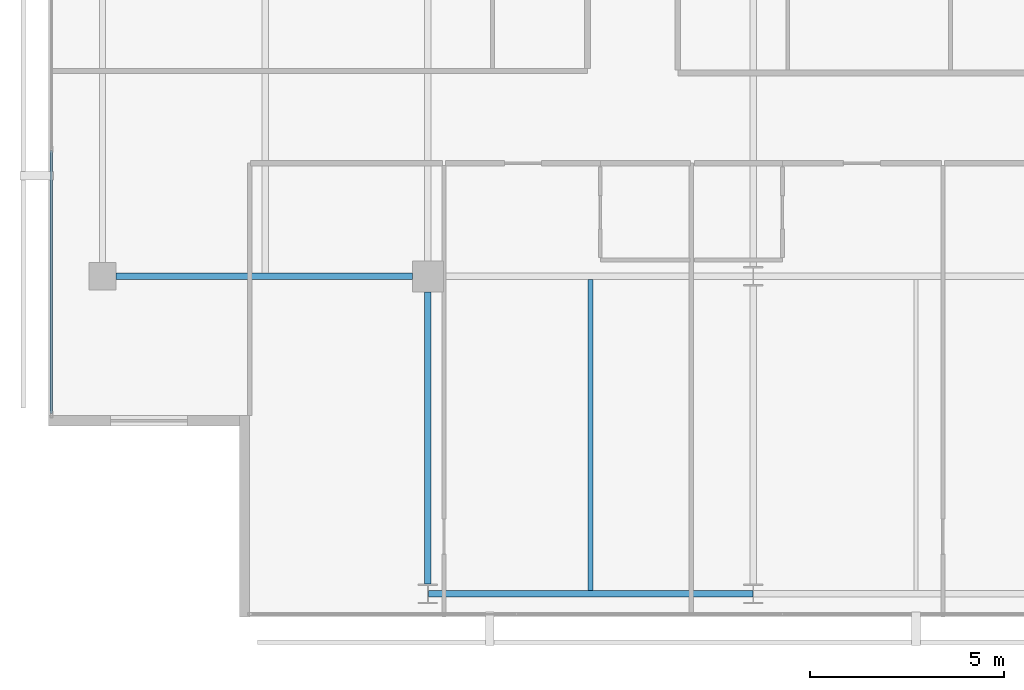
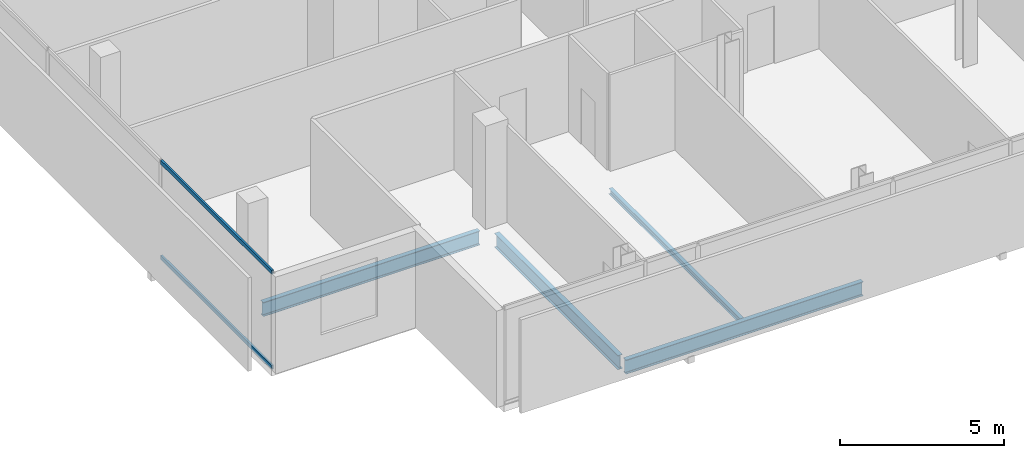
# One storey, part 3 of 26: 4 beams, 2 members, 1 element without a shape of its own.
"""IFC4 building model written with IfcOpenShell, lengths in metres."""

from ifc_helpers import new_model, si_unit, direction, frame, origin, origin_2d, place, context, subcontext, project, spatial, hollow_rectangle, i_section, extrude, material, layer, layer_set, material_profile, profile_set, type_object, element, aggregate, save


model = new_model("IFC4")

# Units and contexts
model_context = context("Model", 3, precision=1e-05, world=origin(), true_north=direction((0.0, 1.0)))
body_context = subcontext(model_context, "Body", "Model", "MODEL_VIEW")
ifc_project = project(units=[si_unit("LENGTHUNIT", "METRE"), si_unit("AREAUNIT", "SQUARE_METRE"), si_unit("VOLUMEUNIT", "CUBIC_METRE"), si_unit("PLANEANGLEUNIT", "RADIAN"), si_unit("MASSUNIT", "GRAM", prefix="KILO")], contexts=[model_context])

# Site, building, storey
site_placement = place(None, origin())
site = spatial("IfcSite", under=ifc_project, at=site_placement, CompositionType="ELEMENT")
building_placement = place(site_placement, origin())
building = spatial("IfcBuilding", under=site, at=building_placement, Name="Maruvema Waterfront Hotel and Observation Tower", CompositionType="ELEMENT")
storey_placement = place(building_placement, frame((0.0, 0.0, 301.0)))
storey = spatial("IfcBuildingStorey", under=building, at=storey_placement, Name="L74", CompositionType="ELEMENT", Elevation=301.0)

# Curtain wall, members
ifc_material_1 = material(Name="Anodised bronze aluminium and solar-control low-E IGU", Category="aluminium")
ifc_layer = layer(ifc_material_1, 0.159912109375, Name="Zone 3 Champagne Inner Thermal Curtain Wall System CW-04")
ifc_layer_set = layer_set([ifc_layer], Name="Anodised bronze aluminium and solar-control low-E IGU")
curtain_wall_type = type_object("IfcCurtainWallType", Name="Zone 3 Champagne Inner Thermal Curtain Wall System CW-04", PredefinedType="USERDEFINED", material=ifc_layer_set)
curtain_wall_placement = place(storey_placement, origin())
curtain_wall = element("IfcCurtainWall", 1, at=curtain_wall_placement, inside=storey, type_object=curtain_wall_type, Name="L74 Curtain Wall CW-L74-W", ObjectType="UNITISED CURTAIN WALL", PredefinedType="USERDEFINED")
ifc_material_2 = material(Name="Anodised architectural bronze aluminium", Category="aluminium")
ifc_material_profile_1 = material_profile(ifc_material_2, hollow_rectangle(XDim=0.070068359375, YDim=0.14990234375, WallThickness=0.00390625, at=origin_2d()), Name="ALU-T70x150")
ifc_profile_set_1 = profile_set([ifc_material_profile_1], Name="Anodised architectural bronze aluminium")
member_type = type_object("IfcMemberType", Name="Curtain Wall Horizontal Transom ALU-T70x150", PredefinedType="USERDEFINED", material=ifc_profile_set_1)
member_1_placement = place(storey_placement, frame((15.47998046875, 21.25, 0.030029296875), z_axis=(0.0, -1.0, 0.0), x_axis=(1.0, 0.0, 0.0)))
member_1 = element("IfcMember", 2, at=member_1_placement, type_object=member_type, Name="CW-04 transom 5.1", ObjectType="TRANSOM", PredefinedType="USERDEFINED", context=body_context, shape_type="SweptSolid", body=[
    extrude(hollow_rectangle(XDim=0.070068359375, YDim=0.14990234375, WallThickness=0.00390625, at=origin_2d()), origin(), (0.0, 0.0, 1.0), 6.7900390625),
])
member_2_placement = place(storey_placement, frame((15.47998046875, 21.25, 3.580078125), z_axis=(0.0, -1.0, 0.0), x_axis=(1.0, 0.0, 0.0)))
member_2 = element("IfcMember", 3, at=member_2_placement, type_object=member_type, Name="CW-04 transom 5.2", ObjectType="TRANSOM", PredefinedType="USERDEFINED", context=body_context, shape_type="SweptSolid", body=[
    extrude(hollow_rectangle(XDim=0.070068359375, YDim=0.14990234375, WallThickness=0.00390625, at=origin_2d()), origin(), (0.0, 0.0, 1.0), 6.7900390625),
])
aggregate(curtain_wall, [member_1, member_2])

# Beams
ifc_material_3 = material(Name="Steel ASTM A572 Grade 50", Category="steel")
ifc_material_profile_2 = material_profile(ifc_material_3, i_section(OverallWidth=0.166015625, OverallDepth=0.529052734375, WebThickness=0.009765625, FlangeThickness=0.013671875, FilletRadius=0.014892578125, at=origin_2d()), Name="W530x74.0")
ifc_profile_set_2 = profile_set([ifc_material_profile_2], Name="Steel ASTM A572 Grade 50")
beam_type_1 = type_object("IfcBeamType", Name="Primary Floor Girder W530x74.0", PredefinedType="BEAM", material=ifc_profile_set_2)
beam_1_placement = place(storey_placement, frame((25.2109375, 9.800048828125, -0.50439453125), z_axis=(1.0, 0.0, 0.0), x_axis=(0.0, 1.0, 0.0)))
element("IfcBeam", 4, at=beam_1_placement, inside=storey, type_object=beam_type_1, Name="L74 Floor Girder EW-01", PredefinedType="BEAM", context=body_context, shape_type="SweptSolid", body=[
    extrude(i_section(OverallWidth=0.166015625, OverallDepth=0.529052734375, WebThickness=0.009765625, FlangeThickness=0.013671875, FilletRadius=0.014892578125, at=origin_2d()), origin(), (0.0, 0.0, 1.0), 8.378173828125),
])
beam_2_placement = place(storey_placement, frame((17.14990234375, 18.0, -0.50439453125), z_axis=(1.0, 0.0, 0.0), x_axis=(0.0, 1.0, 0.0)))
element("IfcBeam", 5, at=beam_2_placement, inside=storey, type_object=beam_type_1, Name="L74 Floor Girder EW-04", PredefinedType="BEAM", context=body_context, shape_type="SweptSolid", body=[
    extrude(i_section(OverallWidth=0.166015625, OverallDepth=0.529052734375, WebThickness=0.009765625, FlangeThickness=0.013671875, FilletRadius=0.014892578125, at=origin_2d()), origin(), (0.0, 0.0, 1.0), 7.650146484375),
])
beam_3_placement = place(storey_placement, frame((25.199951171875, 10.050048828125, -0.50439453125), z_axis=(0.0, 1.0, 0.0), x_axis=(-1.0, 0.0, 0.0)))
element("IfcBeam", 6, at=beam_3_placement, inside=storey, type_object=beam_type_1, Name="L74 Floor Girder NS-04", PredefinedType="BEAM", context=body_context, shape_type="SweptSolid", body=[
    extrude(i_section(OverallWidth=0.166015625, OverallDepth=0.529052734375, WebThickness=0.009765625, FlangeThickness=0.013671875, FilletRadius=0.014892578125, at=origin_2d()), origin(), (0.0, 0.0, 1.0), 7.550048828125),
])
ifc_material_4 = material(Name="Steel ASTM A572 Grade 50", Category="steel")
ifc_material_profile_3 = material_profile(ifc_material_4, i_section(OverallWidth=0.133056640625, OverallDepth=0.20703125, WebThickness=0.005859375, FlangeThickness=0.00830078125, FilletRadius=0.010009765625, at=origin_2d()), Name="W200x26.6")
ifc_profile_set_3 = profile_set([ifc_material_profile_3], Name="Steel ASTM A572 Grade 50")
beam_type_2 = type_object("IfcBeamType", Name="Secondary Floor Joist W200x26.6", PredefinedType="JOIST", material=ifc_profile_set_3)
beam_4_placement = place(storey_placement, frame((29.39990234375, 9.883056640625, -0.343505859375), z_axis=(0.0, 1.0, 0.0), x_axis=(-1.0, 0.0, 0.0)))
element("IfcBeam", 7, at=beam_4_placement, inside=storey, type_object=beam_type_2, Name="L74 Secondary Floor Joist JS-04", PredefinedType="JOIST", context=body_context, shape_type="SweptSolid", body=[
    extrude(i_section(OverallWidth=0.133056640625, OverallDepth=0.20703125, WebThickness=0.005859375, FlangeThickness=0.00830078125, FilletRadius=0.010009765625, at=origin_2d()), origin(), (0.0, 0.0, 1.0), 8.033935546875),
])

save(model, "model.ifc")
